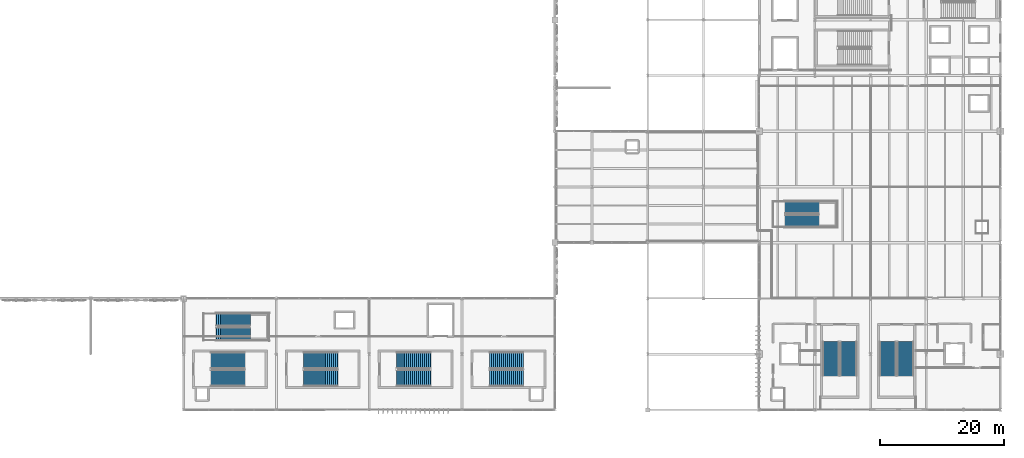
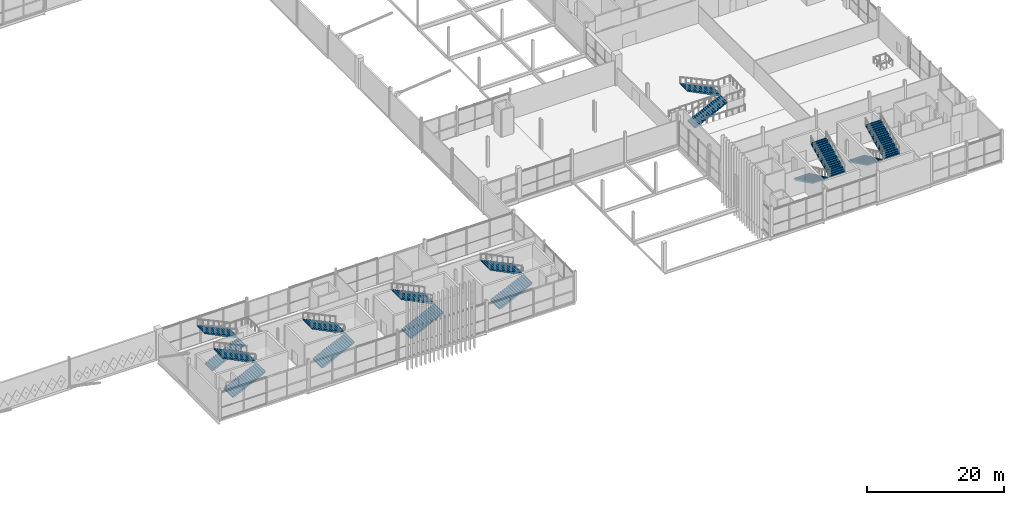
# One storey, part 97 of 119: 16 stair flights, 8 elements without a shape of their own.
"""IFC4 building model written with IfcOpenShell, lengths in metres."""

from ifc_helpers import new_model, si_unit, direction, frame, origin, place, context, subcontext, project, spatial, polyline, outline, extrude, material, type_object, element, aggregate, save


model = new_model("IFC4")

# Units and contexts
model_context = context("Model", 3, precision=1e-05, world=origin(), true_north=direction((0.0, 1.0)))
body_context = subcontext(model_context, "Body", "Model", "MODEL_VIEW")
ifc_project = project(units=[si_unit("LENGTHUNIT", "METRE"), si_unit("AREAUNIT", "SQUARE_METRE"), si_unit("VOLUMEUNIT", "CUBIC_METRE"), si_unit("PLANEANGLEUNIT", "RADIAN"), si_unit("MASSUNIT", "GRAM", prefix="KILO")], contexts=[model_context])

# Site, building, storey
site_placement = place(None, origin())
site = spatial("IfcSite", under=ifc_project, at=site_placement, CompositionType="ELEMENT")
building_placement = place(site_placement, origin())
building = spatial("IfcBuilding", under=site, at=building_placement, Name="Qamarlyn Nura Convention Centre", CompositionType="ELEMENT")
storey_placement = place(building_placement, frame((0.0, 0.0, 5.39990234375)))
storey = spatial("IfcBuildingStorey", under=building, at=storey_placement, Name="L01", CompositionType="ELEMENT", Elevation=5.39990234375)

# Stair, stair flights
ifc_material = material(Name="Concrete C40/50", Category="concrete")
stair_type_1 = type_object("IfcStairType", Name="STAIR-EXIT-54", PredefinedType="HALF_TURN_STAIR", material=ifc_material)
stair_1_placement = place(storey_placement, origin())
stair_1 = element("IfcStair", 1, at=stair_1_placement, inside=storey, type_object=stair_type_1, Name="L01 Enclosed exit stair ST-05", PredefinedType="HALF_TURN_STAIR")
stair_flight_type_1 = type_object("IfcStairFlightType", Name="FLIGHT-EXIT-54", PredefinedType="STRAIGHT", material=ifc_material)
stair_flight_1_placement = place(storey_placement, frame((64.4599609375, 5.1298828125, 0.0), z_axis=(0.0, 0.0, 1.0), x_axis=(1.0, 0.0, 0.0)))
stair_flight_1 = element("IfcStairFlight", 2, at=stair_flight_1_placement, type_object=stair_flight_type_1, Name="ST-05 flight 1", NumberOfRisers=18, NumberOfTreads=17, PredefinedType="STRAIGHT", RiserHeight=0.15, TreadLength=0.32, context=body_context, shape_type="SweptSolid", body=[
    extrude(outline(polyline([(-0.054931640625, 0.0), (0.0, 0.0), (0.0, 0.14990234375), (0.320068359375, 0.14990234375), (0.320068359375, 0.300048828125), (0.639892578125, 0.300048828125), (0.639892578125, 0.449951171875), (0.9599609375, 0.449951171875), (0.9599609375, 0.60009765625), (1.280029296875, 0.60009765625), (1.280029296875, 0.75), (1.60009765625, 0.75), (1.60009765625, 0.89990234375), (1.919921875, 0.89990234375), (1.919921875, 1.050048828125), (2.239990234375, 1.050048828125), (2.239990234375, 1.199951171875), (2.56005859375, 1.199951171875), (2.56005859375, 1.35009765625), (2.8798828125, 1.35009765625), (2.8798828125, 1.5), (3.199951171875, 1.5), (3.199951171875, 1.64990234375), (3.52001953125, 1.64990234375), (3.52001953125, 1.800048828125), (3.840087890625, 1.800048828125), (3.840087890625, 1.949951171875), (4.159912109375, 1.949951171875), (4.159912109375, 2.10009765625), (4.47998046875, 2.10009765625), (4.47998046875, 2.25), (4.800048828125, 2.25), (4.800048828125, 2.39990234375), (5.1201171875, 2.39990234375), (5.1201171875, 2.550048828125), (5.43994140625, 2.550048828125), (5.43994140625, 2.699951171875), (5.494873046875, 2.699951171875), (5.494873046875, 2.56005859375), (5.43994140625, 2.384521484375), (0.353271484375, -0.139892578125), (-0.054931640625, -0.139892578125), (-0.054931640625, 0.0)])), frame((0.0, 1.330078125, 0.0), z_axis=(0.0, -1.0, 0.0), x_axis=(1.0, 0.0, 0.0)), (0.0, 0.0, 1.0), 2.659912109375),
])
stair_flight_2_placement = place(storey_placement, frame((69.89990234375, 7.969970703125, 2.7001953125), z_axis=(0.0, 0.0, 1.0), x_axis=(-1.0, 0.0, 0.0)))
stair_flight_2 = element("IfcStairFlight", 3, at=stair_flight_2_placement, type_object=stair_flight_type_1, Name="ST-05 flight 2", NumberOfRisers=18, NumberOfTreads=17, PredefinedType="STRAIGHT", RiserHeight=0.15, TreadLength=0.32, context=body_context, shape_type="SweptSolid", body=[
    extrude(outline(polyline([(-0.054931640625, 0.0), (0.0, 0.0), (0.0, 0.14990234375), (0.320068359375, 0.14990234375), (0.320068359375, 0.300048828125), (0.639892578125, 0.300048828125), (0.639892578125, 0.449951171875), (0.9599609375, 0.449951171875), (0.9599609375, 0.60009765625), (1.280029296875, 0.60009765625), (1.280029296875, 0.75), (1.60009765625, 0.75), (1.60009765625, 0.89990234375), (1.919921875, 0.89990234375), (1.919921875, 1.050048828125), (2.239990234375, 1.050048828125), (2.239990234375, 1.199951171875), (2.56005859375, 1.199951171875), (2.56005859375, 1.35009765625), (2.8798828125, 1.35009765625), (2.8798828125, 1.5), (3.199951171875, 1.5), (3.199951171875, 1.64990234375), (3.52001953125, 1.64990234375), (3.52001953125, 1.800048828125), (3.840087890625, 1.800048828125), (3.840087890625, 1.949951171875), (4.159912109375, 1.949951171875), (4.159912109375, 2.10009765625), (4.47998046875, 2.10009765625), (4.47998046875, 2.25), (4.800048828125, 2.25), (4.800048828125, 2.39990234375), (5.1201171875, 2.39990234375), (5.1201171875, 2.550048828125), (5.43994140625, 2.550048828125), (5.43994140625, 2.699951171875), (5.494873046875, 2.699951171875), (5.494873046875, 2.56005859375), (5.43994140625, 2.384521484375), (0.353271484375, -0.139892578125), (-0.054931640625, -0.139892578125), (-0.054931640625, 0.0)])), frame((0.0, 1.330078125, 0.0), z_axis=(0.0, -1.0, 0.0), x_axis=(1.0, 0.0, 0.0)), (0.0, 0.0, 1.0), 2.659912109375),
])
aggregate(stair_1, [stair_flight_1, stair_flight_2])

stair_2_placement = place(storey_placement, origin())
stair_2 = element("IfcStair", 4, at=stair_2_placement, inside=storey, type_object=stair_type_1, Name="L01 Enclosed exit stair ST-06", PredefinedType="HALF_TURN_STAIR")
stair_flight_3_placement = place(storey_placement, frame((79.4599609375, 5.1298828125, 0.0), z_axis=(0.0, 0.0, 1.0), x_axis=(1.0, 0.0, 0.0)))
stair_flight_3 = element("IfcStairFlight", 5, at=stair_flight_3_placement, type_object=stair_flight_type_1, Name="ST-06 flight 1", NumberOfRisers=18, NumberOfTreads=17, PredefinedType="STRAIGHT", RiserHeight=0.15, TreadLength=0.32, context=body_context, shape_type="SweptSolid", body=[
    extrude(outline(polyline([(-0.054931640625, 0.0), (0.0, 0.0), (0.0, 0.14990234375), (0.320068359375, 0.14990234375), (0.320068359375, 0.300048828125), (0.639892578125, 0.300048828125), (0.639892578125, 0.449951171875), (0.9599609375, 0.449951171875), (0.9599609375, 0.60009765625), (1.280029296875, 0.60009765625), (1.280029296875, 0.75), (1.60009765625, 0.75), (1.60009765625, 0.89990234375), (1.919921875, 0.89990234375), (1.919921875, 1.050048828125), (2.239990234375, 1.050048828125), (2.239990234375, 1.199951171875), (2.56005859375, 1.199951171875), (2.56005859375, 1.35009765625), (2.8798828125, 1.35009765625), (2.8798828125, 1.5), (3.199951171875, 1.5), (3.199951171875, 1.64990234375), (3.52001953125, 1.64990234375), (3.52001953125, 1.800048828125), (3.840087890625, 1.800048828125), (3.840087890625, 1.949951171875), (4.159912109375, 1.949951171875), (4.159912109375, 2.10009765625), (4.47998046875, 2.10009765625), (4.47998046875, 2.25), (4.800048828125, 2.25), (4.800048828125, 2.39990234375), (5.1201171875, 2.39990234375), (5.1201171875, 2.550048828125), (5.43994140625, 2.550048828125), (5.43994140625, 2.699951171875), (5.494873046875, 2.699951171875), (5.494873046875, 2.56005859375), (5.43994140625, 2.384521484375), (0.353271484375, -0.139892578125), (-0.054931640625, -0.139892578125), (-0.054931640625, 0.0)])), frame((0.0, 1.330078125, 0.0), z_axis=(0.0, -1.0, 0.0), x_axis=(1.0, 0.0, 0.0)), (0.0, 0.0, 1.0), 2.659912109375),
])
stair_flight_4_placement = place(storey_placement, frame((84.89990234375, 7.969970703125, 2.7001953125), z_axis=(0.0, 0.0, 1.0), x_axis=(-1.0, 0.0, 0.0)))
stair_flight_4 = element("IfcStairFlight", 6, at=stair_flight_4_placement, type_object=stair_flight_type_1, Name="ST-06 flight 2", NumberOfRisers=18, NumberOfTreads=17, PredefinedType="STRAIGHT", RiserHeight=0.15, TreadLength=0.32, context=body_context, shape_type="SweptSolid", body=[
    extrude(outline(polyline([(-0.054931640625, 0.0), (0.0, 0.0), (0.0, 0.14990234375), (0.320068359375, 0.14990234375), (0.320068359375, 0.300048828125), (0.639892578125, 0.300048828125), (0.639892578125, 0.449951171875), (0.9599609375, 0.449951171875), (0.9599609375, 0.60009765625), (1.280029296875, 0.60009765625), (1.280029296875, 0.75), (1.60009765625, 0.75), (1.60009765625, 0.89990234375), (1.919921875, 0.89990234375), (1.919921875, 1.050048828125), (2.239990234375, 1.050048828125), (2.239990234375, 1.199951171875), (2.56005859375, 1.199951171875), (2.56005859375, 1.35009765625), (2.8798828125, 1.35009765625), (2.8798828125, 1.5), (3.199951171875, 1.5), (3.199951171875, 1.64990234375), (3.52001953125, 1.64990234375), (3.52001953125, 1.800048828125), (3.840087890625, 1.800048828125), (3.840087890625, 1.949951171875), (4.159912109375, 1.949951171875), (4.159912109375, 2.10009765625), (4.47998046875, 2.10009765625), (4.47998046875, 2.25), (4.800048828125, 2.25), (4.800048828125, 2.39990234375), (5.1201171875, 2.39990234375), (5.1201171875, 2.550048828125), (5.43994140625, 2.550048828125), (5.43994140625, 2.699951171875), (5.494873046875, 2.699951171875), (5.494873046875, 2.56005859375), (5.43994140625, 2.384521484375), (0.353271484375, -0.139892578125), (-0.054931640625, -0.139892578125), (-0.054931640625, 0.0)])), frame((0.0, 1.330078125, 0.0), z_axis=(0.0, -1.0, 0.0), x_axis=(1.0, 0.0, 0.0)), (0.0, 0.0, 1.0), 2.659912109375),
])
aggregate(stair_2, [stair_flight_3, stair_flight_4])

stair_3_placement = place(storey_placement, origin())
stair_3 = element("IfcStair", 7, at=stair_3_placement, inside=storey, type_object=stair_type_1, Name="L01 Enclosed exit stair ST-07", PredefinedType="HALF_TURN_STAIR")
stair_flight_5_placement = place(storey_placement, frame((94.4599609375, 5.1298828125, 0.0), z_axis=(0.0, 0.0, 1.0), x_axis=(1.0, 0.0, 0.0)))
stair_flight_5 = element("IfcStairFlight", 8, at=stair_flight_5_placement, type_object=stair_flight_type_1, Name="ST-07 flight 1", NumberOfRisers=18, NumberOfTreads=17, PredefinedType="STRAIGHT", RiserHeight=0.15, TreadLength=0.32, context=body_context, shape_type="SweptSolid", body=[
    extrude(outline(polyline([(-0.054931640625, 0.0), (0.0, 0.0), (0.0, 0.14990234375), (0.320068359375, 0.14990234375), (0.320068359375, 0.300048828125), (0.639892578125, 0.300048828125), (0.639892578125, 0.449951171875), (0.9599609375, 0.449951171875), (0.9599609375, 0.60009765625), (1.280029296875, 0.60009765625), (1.280029296875, 0.75), (1.60009765625, 0.75), (1.60009765625, 0.89990234375), (1.919921875, 0.89990234375), (1.919921875, 1.050048828125), (2.239990234375, 1.050048828125), (2.239990234375, 1.199951171875), (2.56005859375, 1.199951171875), (2.56005859375, 1.35009765625), (2.8798828125, 1.35009765625), (2.8798828125, 1.5), (3.199951171875, 1.5), (3.199951171875, 1.64990234375), (3.52001953125, 1.64990234375), (3.52001953125, 1.800048828125), (3.840087890625, 1.800048828125), (3.840087890625, 1.949951171875), (4.159912109375, 1.949951171875), (4.159912109375, 2.10009765625), (4.47998046875, 2.10009765625), (4.47998046875, 2.25), (4.800048828125, 2.25), (4.800048828125, 2.39990234375), (5.1201171875, 2.39990234375), (5.1201171875, 2.550048828125), (5.43994140625, 2.550048828125), (5.43994140625, 2.699951171875), (5.494873046875, 2.699951171875), (5.494873046875, 2.56005859375), (5.43994140625, 2.384521484375), (0.353271484375, -0.139892578125), (-0.054931640625, -0.139892578125), (-0.054931640625, 0.0)])), frame((0.0, 1.330078125, 0.0), z_axis=(0.0, -1.0, 0.0), x_axis=(1.0, 0.0, 0.0)), (0.0, 0.0, 1.0), 2.659912109375),
])
stair_flight_6_placement = place(storey_placement, frame((99.89990234375, 7.969970703125, 2.7001953125), z_axis=(0.0, 0.0, 1.0), x_axis=(-1.0, 0.0, 0.0)))
stair_flight_6 = element("IfcStairFlight", 9, at=stair_flight_6_placement, type_object=stair_flight_type_1, Name="ST-07 flight 2", NumberOfRisers=18, NumberOfTreads=17, PredefinedType="STRAIGHT", RiserHeight=0.15, TreadLength=0.32, context=body_context, shape_type="SweptSolid", body=[
    extrude(outline(polyline([(-0.054931640625, 0.0), (0.0, 0.0), (0.0, 0.14990234375), (0.320068359375, 0.14990234375), (0.320068359375, 0.300048828125), (0.639892578125, 0.300048828125), (0.639892578125, 0.449951171875), (0.9599609375, 0.449951171875), (0.9599609375, 0.60009765625), (1.280029296875, 0.60009765625), (1.280029296875, 0.75), (1.60009765625, 0.75), (1.60009765625, 0.89990234375), (1.919921875, 0.89990234375), (1.919921875, 1.050048828125), (2.239990234375, 1.050048828125), (2.239990234375, 1.199951171875), (2.56005859375, 1.199951171875), (2.56005859375, 1.35009765625), (2.8798828125, 1.35009765625), (2.8798828125, 1.5), (3.199951171875, 1.5), (3.199951171875, 1.64990234375), (3.52001953125, 1.64990234375), (3.52001953125, 1.800048828125), (3.840087890625, 1.800048828125), (3.840087890625, 1.949951171875), (4.159912109375, 1.949951171875), (4.159912109375, 2.10009765625), (4.47998046875, 2.10009765625), (4.47998046875, 2.25), (4.800048828125, 2.25), (4.800048828125, 2.39990234375), (5.1201171875, 2.39990234375), (5.1201171875, 2.550048828125), (5.43994140625, 2.550048828125), (5.43994140625, 2.699951171875), (5.494873046875, 2.699951171875), (5.494873046875, 2.56005859375), (5.43994140625, 2.384521484375), (0.353271484375, -0.139892578125), (-0.054931640625, -0.139892578125), (-0.054931640625, 0.0)])), frame((0.0, 1.330078125, 0.0), z_axis=(0.0, -1.0, 0.0), x_axis=(1.0, 0.0, 0.0)), (0.0, 0.0, 1.0), 2.659912109375),
])
aggregate(stair_3, [stair_flight_5, stair_flight_6])

stair_4_placement = place(storey_placement, origin())
stair_4 = element("IfcStair", 10, at=stair_4_placement, inside=storey, type_object=stair_type_1, Name="L01 Enclosed exit stair ST-08", PredefinedType="HALF_TURN_STAIR")
stair_flight_7_placement = place(storey_placement, frame((109.4599609375, 5.1298828125, 0.0), z_axis=(0.0, 0.0, 1.0), x_axis=(1.0, 0.0, 0.0)))
stair_flight_7 = element("IfcStairFlight", 11, at=stair_flight_7_placement, type_object=stair_flight_type_1, Name="ST-08 flight 1", NumberOfRisers=18, NumberOfTreads=17, PredefinedType="STRAIGHT", RiserHeight=0.15, TreadLength=0.32, context=body_context, shape_type="SweptSolid", body=[
    extrude(outline(polyline([(-0.054931640625, 0.0), (0.0, 0.0), (0.0, 0.14990234375), (0.320068359375, 0.14990234375), (0.320068359375, 0.300048828125), (0.639892578125, 0.300048828125), (0.639892578125, 0.449951171875), (0.9599609375, 0.449951171875), (0.9599609375, 0.60009765625), (1.280029296875, 0.60009765625), (1.280029296875, 0.75), (1.60009765625, 0.75), (1.60009765625, 0.89990234375), (1.919921875, 0.89990234375), (1.919921875, 1.050048828125), (2.239990234375, 1.050048828125), (2.239990234375, 1.199951171875), (2.56005859375, 1.199951171875), (2.56005859375, 1.35009765625), (2.8798828125, 1.35009765625), (2.8798828125, 1.5), (3.199951171875, 1.5), (3.199951171875, 1.64990234375), (3.52001953125, 1.64990234375), (3.52001953125, 1.800048828125), (3.840087890625, 1.800048828125), (3.840087890625, 1.949951171875), (4.159912109375, 1.949951171875), (4.159912109375, 2.10009765625), (4.47998046875, 2.10009765625), (4.47998046875, 2.25), (4.800048828125, 2.25), (4.800048828125, 2.39990234375), (5.1201171875, 2.39990234375), (5.1201171875, 2.550048828125), (5.43994140625, 2.550048828125), (5.43994140625, 2.699951171875), (5.494873046875, 2.699951171875), (5.494873046875, 2.56005859375), (5.43994140625, 2.384521484375), (0.353271484375, -0.139892578125), (-0.054931640625, -0.139892578125), (-0.054931640625, 0.0)])), frame((0.0, 1.330078125, 0.0), z_axis=(0.0, -1.0, 0.0), x_axis=(1.0, 0.0, 0.0)), (0.0, 0.0, 1.0), 2.659912109375),
])
stair_flight_8_placement = place(storey_placement, frame((114.89990234375, 7.969970703125, 2.7001953125), z_axis=(0.0, 0.0, 1.0), x_axis=(-1.0, 0.0, 0.0)))
stair_flight_8 = element("IfcStairFlight", 12, at=stair_flight_8_placement, type_object=stair_flight_type_1, Name="ST-08 flight 2", NumberOfRisers=18, NumberOfTreads=17, PredefinedType="STRAIGHT", RiserHeight=0.15, TreadLength=0.32, context=body_context, shape_type="SweptSolid", body=[
    extrude(outline(polyline([(-0.054931640625, 0.0), (0.0, 0.0), (0.0, 0.14990234375), (0.320068359375, 0.14990234375), (0.320068359375, 0.300048828125), (0.639892578125, 0.300048828125), (0.639892578125, 0.449951171875), (0.9599609375, 0.449951171875), (0.9599609375, 0.60009765625), (1.280029296875, 0.60009765625), (1.280029296875, 0.75), (1.60009765625, 0.75), (1.60009765625, 0.89990234375), (1.919921875, 0.89990234375), (1.919921875, 1.050048828125), (2.239990234375, 1.050048828125), (2.239990234375, 1.199951171875), (2.56005859375, 1.199951171875), (2.56005859375, 1.35009765625), (2.8798828125, 1.35009765625), (2.8798828125, 1.5), (3.199951171875, 1.5), (3.199951171875, 1.64990234375), (3.52001953125, 1.64990234375), (3.52001953125, 1.800048828125), (3.840087890625, 1.800048828125), (3.840087890625, 1.949951171875), (4.159912109375, 1.949951171875), (4.159912109375, 2.10009765625), (4.47998046875, 2.10009765625), (4.47998046875, 2.25), (4.800048828125, 2.25), (4.800048828125, 2.39990234375), (5.1201171875, 2.39990234375), (5.1201171875, 2.550048828125), (5.43994140625, 2.550048828125), (5.43994140625, 2.699951171875), (5.494873046875, 2.699951171875), (5.494873046875, 2.56005859375), (5.43994140625, 2.384521484375), (0.353271484375, -0.139892578125), (-0.054931640625, -0.139892578125), (-0.054931640625, 0.0)])), frame((0.0, 1.330078125, 0.0), z_axis=(0.0, -1.0, 0.0), x_axis=(1.0, 0.0, 0.0)), (0.0, 0.0, 1.0), 2.659912109375),
])
aggregate(stair_4, [stair_flight_7, stair_flight_8])

stair_5_placement = place(storey_placement, origin())
stair_5 = element("IfcStair", 13, at=stair_5_placement, inside=storey, type_object=stair_type_1, Name="L01 Enclosed exit stair ST-09", PredefinedType="HALF_TURN_STAIR")
stair_flight_9_placement = place(storey_placement, frame((164.580078125, 10.93994140625, 0.0), z_axis=(0.0, 0.0, 1.0), x_axis=(0.0, -1.0, 0.0)))
stair_flight_9 = element("IfcStairFlight", 14, at=stair_flight_9_placement, type_object=stair_flight_type_1, Name="ST-09 flight 1", NumberOfRisers=18, NumberOfTreads=17, PredefinedType="STRAIGHT", RiserHeight=0.15, TreadLength=0.32, context=body_context, shape_type="SweptSolid", body=[
    extrude(outline(polyline([(-0.054931640625, 0.0), (0.0, 0.0), (0.0, 0.14990234375), (0.320068359375, 0.14990234375), (0.320068359375, 0.300048828125), (0.639892578125, 0.300048828125), (0.639892578125, 0.449951171875), (0.9599609375, 0.449951171875), (0.9599609375, 0.60009765625), (1.280029296875, 0.60009765625), (1.280029296875, 0.75), (1.60009765625, 0.75), (1.60009765625, 0.89990234375), (1.919921875, 0.89990234375), (1.919921875, 1.050048828125), (2.239990234375, 1.050048828125), (2.239990234375, 1.199951171875), (2.56005859375, 1.199951171875), (2.56005859375, 1.35009765625), (2.8798828125, 1.35009765625), (2.8798828125, 1.5), (3.199951171875, 1.5), (3.199951171875, 1.64990234375), (3.52001953125, 1.64990234375), (3.52001953125, 1.800048828125), (3.840087890625, 1.800048828125), (3.840087890625, 1.949951171875), (4.159912109375, 1.949951171875), (4.159912109375, 2.10009765625), (4.47998046875, 2.10009765625), (4.47998046875, 2.25), (4.800048828125, 2.25), (4.800048828125, 2.39990234375), (5.1201171875, 2.39990234375), (5.1201171875, 2.550048828125), (5.43994140625, 2.550048828125), (5.43994140625, 2.699951171875), (5.494873046875, 2.699951171875), (5.494873046875, 2.56005859375), (5.43994140625, 2.384521484375), (0.353271484375, -0.139892578125), (-0.054931640625, -0.139892578125), (-0.054931640625, 0.0)])), frame((0.0, 1.330078125, 0.0), z_axis=(0.0, -1.0, 0.0), x_axis=(1.0, 0.0, 0.0)), (0.0, 0.0, 1.0), 2.659912109375),
])
stair_flight_10_placement = place(storey_placement, frame((167.419921875, 5.5, 2.7001953125), z_axis=(0.0, 0.0, 1.0), x_axis=(0.0, 1.0, 0.0)))
stair_flight_10 = element("IfcStairFlight", 15, at=stair_flight_10_placement, type_object=stair_flight_type_1, Name="ST-09 flight 2", NumberOfRisers=18, NumberOfTreads=17, PredefinedType="STRAIGHT", RiserHeight=0.15, TreadLength=0.32, context=body_context, shape_type="SweptSolid", body=[
    extrude(outline(polyline([(-0.054931640625, 0.0), (0.0, 0.0), (0.0, 0.14990234375), (0.320068359375, 0.14990234375), (0.320068359375, 0.300048828125), (0.639892578125, 0.300048828125), (0.639892578125, 0.449951171875), (0.9599609375, 0.449951171875), (0.9599609375, 0.60009765625), (1.280029296875, 0.60009765625), (1.280029296875, 0.75), (1.60009765625, 0.75), (1.60009765625, 0.89990234375), (1.919921875, 0.89990234375), (1.919921875, 1.050048828125), (2.239990234375, 1.050048828125), (2.239990234375, 1.199951171875), (2.56005859375, 1.199951171875), (2.56005859375, 1.35009765625), (2.8798828125, 1.35009765625), (2.8798828125, 1.5), (3.199951171875, 1.5), (3.199951171875, 1.64990234375), (3.52001953125, 1.64990234375), (3.52001953125, 1.800048828125), (3.840087890625, 1.800048828125), (3.840087890625, 1.949951171875), (4.159912109375, 1.949951171875), (4.159912109375, 2.10009765625), (4.47998046875, 2.10009765625), (4.47998046875, 2.25), (4.800048828125, 2.25), (4.800048828125, 2.39990234375), (5.1201171875, 2.39990234375), (5.1201171875, 2.550048828125), (5.43994140625, 2.550048828125), (5.43994140625, 2.699951171875), (5.494873046875, 2.699951171875), (5.494873046875, 2.56005859375), (5.43994140625, 2.384521484375), (0.353271484375, -0.139892578125), (-0.054931640625, -0.139892578125), (-0.054931640625, 0.0)])), frame((0.0, 1.330078125, 0.0), z_axis=(0.0, -1.0, 0.0), x_axis=(1.0, 0.0, 0.0)), (0.0, 0.0, 1.0), 2.659912109375),
])
aggregate(stair_5, [stair_flight_9, stair_flight_10])

stair_6_placement = place(storey_placement, origin())
stair_6 = element("IfcStair", 16, at=stair_6_placement, inside=storey, type_object=stair_type_1, Name="L01 Enclosed exit stair ST-10", PredefinedType="HALF_TURN_STAIR")
stair_flight_11_placement = place(storey_placement, frame((173.780029296875, 10.93994140625, 0.0), z_axis=(0.0, 0.0, 1.0), x_axis=(0.0, -1.0, 0.0)))
stair_flight_11 = element("IfcStairFlight", 17, at=stair_flight_11_placement, type_object=stair_flight_type_1, Name="ST-10 flight 1", NumberOfRisers=18, NumberOfTreads=17, PredefinedType="STRAIGHT", RiserHeight=0.15, TreadLength=0.32, context=body_context, shape_type="SweptSolid", body=[
    extrude(outline(polyline([(-0.054931640625, 0.0), (0.0, 0.0), (0.0, 0.14990234375), (0.320068359375, 0.14990234375), (0.320068359375, 0.300048828125), (0.639892578125, 0.300048828125), (0.639892578125, 0.449951171875), (0.9599609375, 0.449951171875), (0.9599609375, 0.60009765625), (1.280029296875, 0.60009765625), (1.280029296875, 0.75), (1.60009765625, 0.75), (1.60009765625, 0.89990234375), (1.919921875, 0.89990234375), (1.919921875, 1.050048828125), (2.239990234375, 1.050048828125), (2.239990234375, 1.199951171875), (2.56005859375, 1.199951171875), (2.56005859375, 1.35009765625), (2.8798828125, 1.35009765625), (2.8798828125, 1.5), (3.199951171875, 1.5), (3.199951171875, 1.64990234375), (3.52001953125, 1.64990234375), (3.52001953125, 1.800048828125), (3.840087890625, 1.800048828125), (3.840087890625, 1.949951171875), (4.159912109375, 1.949951171875), (4.159912109375, 2.10009765625), (4.47998046875, 2.10009765625), (4.47998046875, 2.25), (4.800048828125, 2.25), (4.800048828125, 2.39990234375), (5.1201171875, 2.39990234375), (5.1201171875, 2.550048828125), (5.43994140625, 2.550048828125), (5.43994140625, 2.699951171875), (5.494873046875, 2.699951171875), (5.494873046875, 2.56005859375), (5.43994140625, 2.384521484375), (0.353271484375, -0.139892578125), (-0.054931640625, -0.139892578125), (-0.054931640625, 0.0)])), frame((0.0, 1.330078125, 0.0), z_axis=(0.0, -1.0, 0.0), x_axis=(1.0, 0.0, 0.0)), (0.0, 0.0, 1.0), 2.659912109375),
])
stair_flight_12_placement = place(storey_placement, frame((176.6201171875, 5.5, 2.7001953125), z_axis=(0.0, 0.0, 1.0), x_axis=(0.0, 1.0, 0.0)))
stair_flight_12 = element("IfcStairFlight", 18, at=stair_flight_12_placement, type_object=stair_flight_type_1, Name="ST-10 flight 2", NumberOfRisers=18, NumberOfTreads=17, PredefinedType="STRAIGHT", RiserHeight=0.15, TreadLength=0.32, context=body_context, shape_type="SweptSolid", body=[
    extrude(outline(polyline([(-0.054931640625, 0.0), (0.0, 0.0), (0.0, 0.14990234375), (0.320068359375, 0.14990234375), (0.320068359375, 0.300048828125), (0.639892578125, 0.300048828125), (0.639892578125, 0.449951171875), (0.9599609375, 0.449951171875), (0.9599609375, 0.60009765625), (1.280029296875, 0.60009765625), (1.280029296875, 0.75), (1.60009765625, 0.75), (1.60009765625, 0.89990234375), (1.919921875, 0.89990234375), (1.919921875, 1.050048828125), (2.239990234375, 1.050048828125), (2.239990234375, 1.199951171875), (2.56005859375, 1.199951171875), (2.56005859375, 1.35009765625), (2.8798828125, 1.35009765625), (2.8798828125, 1.5), (3.199951171875, 1.5), (3.199951171875, 1.64990234375), (3.52001953125, 1.64990234375), (3.52001953125, 1.800048828125), (3.840087890625, 1.800048828125), (3.840087890625, 1.949951171875), (4.159912109375, 1.949951171875), (4.159912109375, 2.10009765625), (4.47998046875, 2.10009765625), (4.47998046875, 2.25), (4.800048828125, 2.25), (4.800048828125, 2.39990234375), (5.1201171875, 2.39990234375), (5.1201171875, 2.550048828125), (5.43994140625, 2.550048828125), (5.43994140625, 2.699951171875), (5.494873046875, 2.699951171875), (5.494873046875, 2.56005859375), (5.43994140625, 2.384521484375), (0.353271484375, -0.139892578125), (-0.054931640625, -0.139892578125), (-0.054931640625, 0.0)])), frame((0.0, 1.330078125, 0.0), z_axis=(0.0, -1.0, 0.0), x_axis=(1.0, 0.0, 0.0)), (0.0, 0.0, 1.0), 2.659912109375),
])
aggregate(stair_6, [stair_flight_11, stair_flight_12])

stair_type_2 = type_object("IfcStairType", Name="STAIR-FOY1-54", PredefinedType="HALF_TURN_STAIR", material=ifc_material)
stair_7_placement = place(storey_placement, origin())
stair_7 = element("IfcStair", 19, at=stair_7_placement, inside=storey, type_object=stair_type_2, Name="L01 Foyer feature stair ST-19", PredefinedType="HALF_TURN_STAIR")
stair_flight_type_2 = type_object("IfcStairFlightType", Name="FLIGHT-FOY1-54", PredefinedType="STRAIGHT", material=ifc_material)
stair_flight_13_placement = place(storey_placement, frame((65.300048828125, 12.25, 0.0), z_axis=(0.0, 0.0, 1.0), x_axis=(1.0, 0.0, 0.0)))
stair_flight_13 = element("IfcStairFlight", 20, at=stair_flight_13_placement, type_object=stair_flight_type_2, Name="ST-19 flight 1", NumberOfRisers=18, NumberOfTreads=17, PredefinedType="STRAIGHT", RiserHeight=0.15, TreadLength=0.32, context=body_context, shape_type="SweptSolid", body=[
    extrude(outline(polyline([(-0.054931640625, 0.0), (0.0, 0.0), (0.0, 0.14990234375), (0.320068359375, 0.14990234375), (0.320068359375, 0.300048828125), (0.639892578125, 0.300048828125), (0.639892578125, 0.449951171875), (0.9599609375, 0.449951171875), (0.9599609375, 0.60009765625), (1.280029296875, 0.60009765625), (1.280029296875, 0.75), (1.60009765625, 0.75), (1.60009765625, 0.89990234375), (1.919921875, 0.89990234375), (1.919921875, 1.050048828125), (2.239990234375, 1.050048828125), (2.239990234375, 1.199951171875), (2.56005859375, 1.199951171875), (2.56005859375, 1.35009765625), (2.8798828125, 1.35009765625), (2.8798828125, 1.5), (3.199951171875, 1.5), (3.199951171875, 1.64990234375), (3.52001953125, 1.64990234375), (3.52001953125, 1.800048828125), (3.840087890625, 1.800048828125), (3.840087890625, 1.949951171875), (4.159912109375, 1.949951171875), (4.159912109375, 2.10009765625), (4.47998046875, 2.10009765625), (4.47998046875, 2.25), (4.800048828125, 2.25), (4.800048828125, 2.39990234375), (5.1201171875, 2.39990234375), (5.1201171875, 2.550048828125), (5.43994140625, 2.550048828125), (5.43994140625, 2.699951171875), (5.494873046875, 2.699951171875), (5.494873046875, 2.56005859375), (5.43994140625, 2.384521484375), (0.353271484375, -0.139892578125), (-0.054931640625, -0.139892578125), (-0.054931640625, 0.0)])), frame((0.0, 1.050048828125, 0.0), z_axis=(0.0, -1.0, 0.0), x_axis=(1.0, 0.0, 0.0)), (0.0, 0.0, 1.0), 2.10009765625),
])
stair_flight_14_placement = place(storey_placement, frame((70.739990234375, 14.530029296875, 2.7001953125), z_axis=(0.0, 0.0, 1.0), x_axis=(-1.0, 0.0, 0.0)))
stair_flight_14 = element("IfcStairFlight", 21, at=stair_flight_14_placement, type_object=stair_flight_type_2, Name="ST-19 flight 2", NumberOfRisers=18, NumberOfTreads=17, PredefinedType="STRAIGHT", RiserHeight=0.15, TreadLength=0.32, context=body_context, shape_type="SweptSolid", body=[
    extrude(outline(polyline([(-0.054931640625, 0.0), (0.0, 0.0), (0.0, 0.14990234375), (0.320068359375, 0.14990234375), (0.320068359375, 0.300048828125), (0.639892578125, 0.300048828125), (0.639892578125, 0.449951171875), (0.9599609375, 0.449951171875), (0.9599609375, 0.60009765625), (1.280029296875, 0.60009765625), (1.280029296875, 0.75), (1.60009765625, 0.75), (1.60009765625, 0.89990234375), (1.919921875, 0.89990234375), (1.919921875, 1.050048828125), (2.239990234375, 1.050048828125), (2.239990234375, 1.199951171875), (2.56005859375, 1.199951171875), (2.56005859375, 1.35009765625), (2.8798828125, 1.35009765625), (2.8798828125, 1.5), (3.199951171875, 1.5), (3.199951171875, 1.64990234375), (3.52001953125, 1.64990234375), (3.52001953125, 1.800048828125), (3.840087890625, 1.800048828125), (3.840087890625, 1.949951171875), (4.159912109375, 1.949951171875), (4.159912109375, 2.10009765625), (4.47998046875, 2.10009765625), (4.47998046875, 2.25), (4.800048828125, 2.25), (4.800048828125, 2.39990234375), (5.1201171875, 2.39990234375), (5.1201171875, 2.550048828125), (5.43994140625, 2.550048828125), (5.43994140625, 2.699951171875), (5.494873046875, 2.699951171875), (5.494873046875, 2.56005859375), (5.43994140625, 2.384521484375), (0.353271484375, -0.139892578125), (-0.054931640625, -0.139892578125), (-0.054931640625, 0.0)])), frame((0.0, 1.050048828125, 0.0), z_axis=(0.0, -1.0, 0.0), x_axis=(1.0, 0.0, 0.0)), (0.0, 0.0, 1.0), 2.10009765625),
])
aggregate(stair_7, [stair_flight_13, stair_flight_14])

stair_type_3 = type_object("IfcStairType", Name="STAIR-FOY2-54", PredefinedType="HALF_TURN_STAIR", material=ifc_material)
stair_8_placement = place(storey_placement, origin())
stair_8 = element("IfcStair", 22, at=stair_8_placement, inside=storey, type_object=stair_type_3, Name="L01 Foyer feature stair ST-20", PredefinedType="HALF_TURN_STAIR")
stair_flight_type_3 = type_object("IfcStairFlightType", Name="FLIGHT-FOY2-54", PredefinedType="STRAIGHT", material=ifc_material)
stair_flight_15_placement = place(storey_placement, frame((157.199951171875, 30.5, 0.0), z_axis=(0.0, 0.0, 1.0), x_axis=(1.0, 0.0, 0.0)))
stair_flight_15 = element("IfcStairFlight", 23, at=stair_flight_15_placement, type_object=stair_flight_type_3, Name="ST-20 flight 1", NumberOfRisers=18, NumberOfTreads=17, PredefinedType="STRAIGHT", RiserHeight=0.15, TreadLength=0.32, context=body_context, shape_type="SweptSolid", body=[
    extrude(outline(polyline([(-0.054931640625, 0.0), (0.0, 0.0), (0.0, 0.14990234375), (0.320068359375, 0.14990234375), (0.320068359375, 0.300048828125), (0.639892578125, 0.300048828125), (0.639892578125, 0.449951171875), (0.9599609375, 0.449951171875), (0.9599609375, 0.60009765625), (1.280029296875, 0.60009765625), (1.280029296875, 0.75), (1.60009765625, 0.75), (1.60009765625, 0.89990234375), (1.919921875, 0.89990234375), (1.919921875, 1.050048828125), (2.239990234375, 1.050048828125), (2.239990234375, 1.199951171875), (2.56005859375, 1.199951171875), (2.56005859375, 1.35009765625), (2.8798828125, 1.35009765625), (2.8798828125, 1.5), (3.199951171875, 1.5), (3.199951171875, 1.64990234375), (3.52001953125, 1.64990234375), (3.52001953125, 1.800048828125), (3.840087890625, 1.800048828125), (3.840087890625, 1.949951171875), (4.159912109375, 1.949951171875), (4.159912109375, 2.10009765625), (4.47998046875, 2.10009765625), (4.47998046875, 2.25), (4.800048828125, 2.25), (4.800048828125, 2.39990234375), (5.1201171875, 2.39990234375), (5.1201171875, 2.550048828125), (5.43994140625, 2.550048828125), (5.43994140625, 2.699951171875), (5.494873046875, 2.699951171875), (5.494873046875, 2.56005859375), (5.43994140625, 2.384521484375), (0.353271484375, -0.139892578125), (-0.054931640625, -0.139892578125), (-0.054931640625, 0.0)])), frame((0.0, 1.0, 0.0), z_axis=(0.0, -1.0, 0.0), x_axis=(1.0, 0.0, 0.0)), (0.0, 0.0, 1.0), 2.0),
])
stair_flight_16_placement = place(storey_placement, frame((162.639892578125, 32.679931640625, 2.7001953125), z_axis=(0.0, 0.0, 1.0), x_axis=(-1.0, 0.0, 0.0)))
stair_flight_16 = element("IfcStairFlight", 24, at=stair_flight_16_placement, type_object=stair_flight_type_3, Name="ST-20 flight 2", NumberOfRisers=18, NumberOfTreads=17, PredefinedType="STRAIGHT", RiserHeight=0.15, TreadLength=0.32, context=body_context, shape_type="SweptSolid", body=[
    extrude(outline(polyline([(-0.054931640625, 0.0), (0.0, 0.0), (0.0, 0.14990234375), (0.320068359375, 0.14990234375), (0.320068359375, 0.300048828125), (0.639892578125, 0.300048828125), (0.639892578125, 0.449951171875), (0.9599609375, 0.449951171875), (0.9599609375, 0.60009765625), (1.280029296875, 0.60009765625), (1.280029296875, 0.75), (1.60009765625, 0.75), (1.60009765625, 0.89990234375), (1.919921875, 0.89990234375), (1.919921875, 1.050048828125), (2.239990234375, 1.050048828125), (2.239990234375, 1.199951171875), (2.56005859375, 1.199951171875), (2.56005859375, 1.35009765625), (2.8798828125, 1.35009765625), (2.8798828125, 1.5), (3.199951171875, 1.5), (3.199951171875, 1.64990234375), (3.52001953125, 1.64990234375), (3.52001953125, 1.800048828125), (3.840087890625, 1.800048828125), (3.840087890625, 1.949951171875), (4.159912109375, 1.949951171875), (4.159912109375, 2.10009765625), (4.47998046875, 2.10009765625), (4.47998046875, 2.25), (4.800048828125, 2.25), (4.800048828125, 2.39990234375), (5.1201171875, 2.39990234375), (5.1201171875, 2.550048828125), (5.43994140625, 2.550048828125), (5.43994140625, 2.699951171875), (5.494873046875, 2.699951171875), (5.494873046875, 2.56005859375), (5.43994140625, 2.384521484375), (0.353271484375, -0.139892578125), (-0.054931640625, -0.139892578125), (-0.054931640625, 0.0)])), frame((0.0, 1.0, 0.0), z_axis=(0.0, -1.0, 0.0), x_axis=(1.0, 0.0, 0.0)), (0.0, 0.0, 1.0), 2.0),
])
aggregate(stair_8, [stair_flight_15, stair_flight_16])

save(model, "model.ifc")
